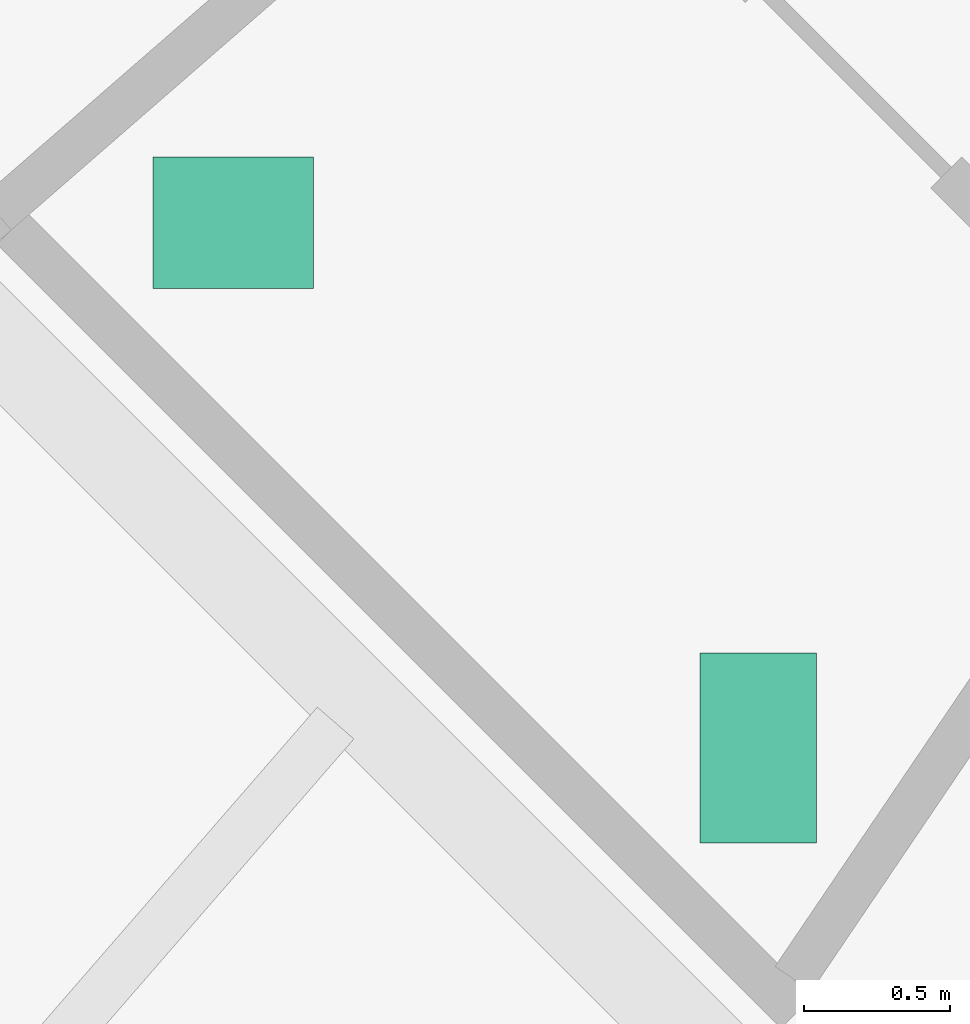
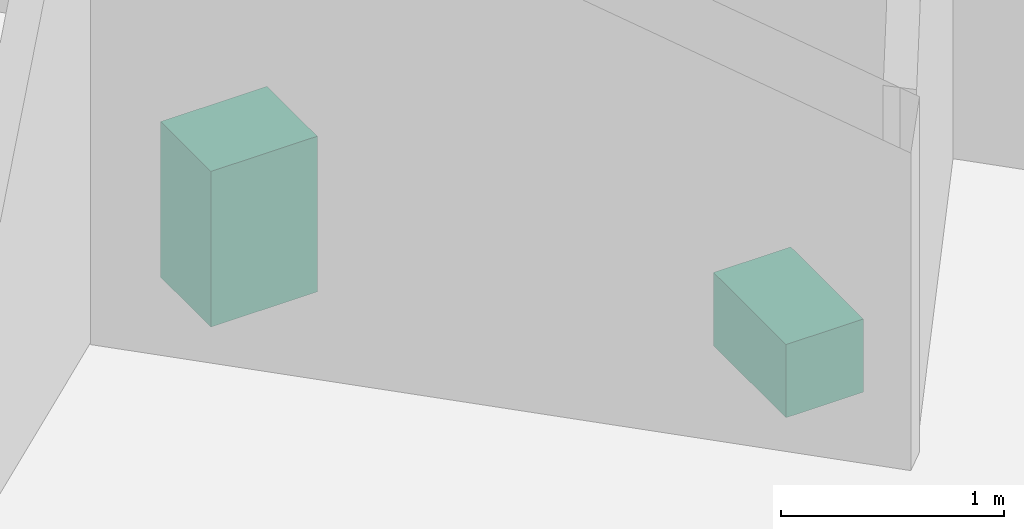
# One storey, part 11 of 11: 2 sanitary terminals.
"""IFC4 building model written with IfcOpenShell, lengths in metres."""

from ifc_helpers import new_model, si_unit, direction, frame, origin, origin_2d, place, context, subcontext, project, spatial, rectangle, extrude, material, type_object, element, save


model = new_model("IFC4")

# Units and contexts
model_context = context("Model", 3, precision=1e-05, world=origin(), true_north=direction((0.0, 1.0)))
body_context = subcontext(model_context, "Body", "Model", "MODEL_VIEW")
ifc_project = project(units=[si_unit("LENGTHUNIT", "METRE"), si_unit("AREAUNIT", "SQUARE_METRE"), si_unit("VOLUMEUNIT", "CUBIC_METRE"), si_unit("PLANEANGLEUNIT", "RADIAN"), si_unit("MASSUNIT", "GRAM", prefix="KILO")], contexts=[model_context])

# Site, building, storey
site_placement = place(None, origin())
site = spatial("IfcSite", under=ifc_project, at=site_placement, CompositionType="ELEMENT")
building_placement = place(site_placement, origin())
building = spatial("IfcBuilding", under=site, at=building_placement, Name="Nagisa Residences", CompositionType="ELEMENT")
storey_placement = place(building_placement, frame((0.0, 0.0, 320.39990234375)))
storey = spatial("IfcBuildingStorey", under=building, at=storey_placement, Name="L79", CompositionType="ELEMENT", Elevation=320.39990234375)

# Sanitary terminals
ifc_material_1 = material(Name="Vitreous china")
sanitary_terminal_type_1 = type_object("IfcSanitaryTerminalType", Name="WC pan", PredefinedType="WCSEAT", material=ifc_material_1)
sanitary_terminal_1_placement = place(storey_placement, frame((-8.337890625, -11.35498046875, 0.000244140625), z_axis=(0.0, 0.0, 1.0), x_axis=(1.0, 0.0, 0.0)))
element("IfcSanitaryTerminal", 1, at=sanitary_terminal_1_placement, inside=storey, type_object=sanitary_terminal_type_1, Name="fix:L79:r4t9p0:wc", PredefinedType="WCSEAT", context=body_context, shape_type="SweptSolid", body=[
    extrude(rectangle(XDim=0.39990234375, YDim=0.64990234375, at=origin_2d()), origin(), (0.0, 0.0, 1.0), 0.39990234375),
])
ifc_material_2 = material(Name="Vitreous china")
sanitary_terminal_type_2 = type_object("IfcSanitaryTerminalType", Name="Wash basin", PredefinedType="WASHHANDBASIN", material=ifc_material_2)
sanitary_terminal_2_placement = place(storey_placement, frame((-10.137939453125, -9.554931640625, 0.0), z_axis=(0.0, 0.0, 1.0), x_axis=(1.0, 0.0, 0.0)))
element("IfcSanitaryTerminal", 2, at=sanitary_terminal_2_placement, inside=storey, type_object=sanitary_terminal_type_2, Name="fix:L79:r4t9p0:basin", PredefinedType="WASHHANDBASIN", context=body_context, shape_type="SweptSolid", body=[
    extrude(rectangle(XDim=0.550048828125, YDim=0.449951171875, at=origin_2d()), origin(), (0.0, 0.0, 1.0), 0.85009765625),
])

save(model, "model.ifc")
